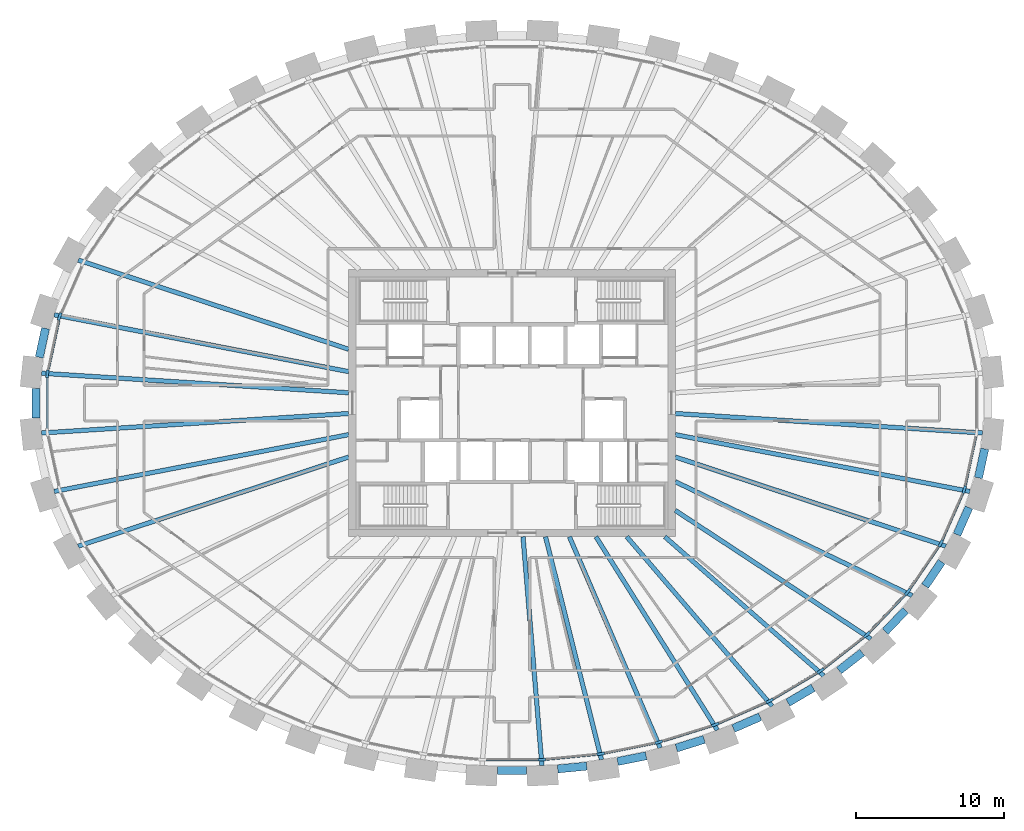
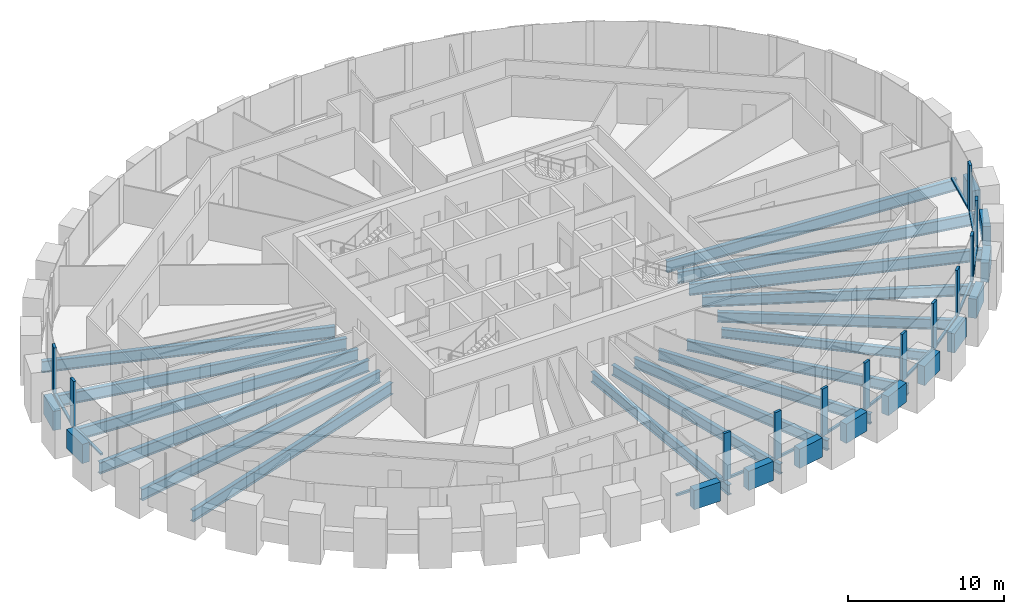
# One storey, part 2 of 12: 30 beams, 25 members, 1 element without a shape of its own.
"""IFC4 building model written with IfcOpenShell, lengths in metres."""

from ifc_helpers import new_model, si_unit, direction, frame, origin, origin_2d, place, context, subcontext, project, spatial, rectangle, i_section, extrude, source, transform, mapped, material, material_profile, profile_set, type_object, element, aggregate, save


model = new_model("IFC4")

# Units and contexts
model_context = context("Model", 3, precision=1e-05, world=origin(), true_north=direction((0.0, 1.0)))
body_context = subcontext(model_context, "Body", "Model", "MODEL_VIEW")
ifc_project = project(units=[si_unit("LENGTHUNIT", "METRE"), si_unit("AREAUNIT", "SQUARE_METRE"), si_unit("VOLUMEUNIT", "CUBIC_METRE"), si_unit("PLANEANGLEUNIT", "RADIAN"), si_unit("MASSUNIT", "GRAM", prefix="KILO")], contexts=[model_context])

# Site, building, storey
site_placement = place(None, origin())
site = spatial("IfcSite", under=ifc_project, at=site_placement, CompositionType="ELEMENT")
building_placement = place(site_placement, origin())
building = spatial("IfcBuilding", under=site, at=building_placement, Name="Embergate Tower", CompositionType="ELEMENT")
storey_placement = place(building_placement, frame((0.0, 0.0, 269.5)))
storey = spatial("IfcBuildingStorey", under=building, at=storey_placement, Name="L62", CompositionType="ELEMENT", Elevation=269.5)

# Beams
ifc_material_1 = material(Name="Concrete C60", Category="concrete")
ifc_material_profile_1 = material_profile(ifc_material_1, rectangle(XDim=0.550048828125, YDim=1.5, at=origin_2d()), Name="RC 550x1500")
ifc_profile_set_1 = profile_set([ifc_material_profile_1], Name="Concrete C60")
beam_type_1 = type_object("IfcBeamType", Name="Spandrel beam RC 550x1500 C60", PredefinedType="BEAM", material=ifc_profile_set_1)
shared_shape_1 = source(origin(), body_context, "Body", "SweptSolid", [
    extrude(rectangle(XDim=0.550048828125, YDim=1.5, at=origin_2d()), origin(), (0.0, 0.0, 1.0), 1.994384765625),
])
for number, where, z_axis, x_axis, name in (
    (1, (-31.423095703125, 5.034912109375, 0.0), (-0.210055720301, -0.977689416108, 0.0), (0.977689416108, -0.210055720301, 0.0), "SPN-L62-20"),
    (2, (31.423095703125, -5.034912109375, 0.0), (0.210055720301, 0.977689416108, 0.0), (-0.977689416108, 0.210055720301, 0.0), "SPN-L62-42"),
):
    element("IfcBeam", number, at=place(storey_placement, frame(where, z_axis=z_axis, x_axis=x_axis)), inside=storey, type_object=beam_type_1, Name=name, PredefinedType="BEAM", context=body_context, shape_type="MappedRepresentation", body=[
        mapped(shared_shape_1, transform((0.0, 0.0, 0.0))),
    ])
shared_shape_2 = source(origin(), body_context, "Body", "SweptSolid", [
    extrude(rectangle(XDim=0.550048828125, YDim=1.5, at=origin_2d()), origin(), (0.0, 0.0, 1.0), 1.989990234375),
])
beam_1_placement = place(storey_placement, frame((29.97705078125, -8.85498046875, 0.0), z_axis=(0.402047764255, 0.915618695341, 0.0), x_axis=(-0.915618695341, 0.402047764255, 0.0)))
element("IfcBeam", 3, at=beam_1_placement, inside=storey, type_object=beam_type_1, Name="SPN-L62-41", PredefinedType="BEAM", context=body_context, shape_type="MappedRepresentation", body=[
    mapped(shared_shape_2, transform((0.0, 0.0, 0.0))),
])
shared_shape_3 = source(origin(), body_context, "Body", "SweptSolid", [
    extrude(rectangle(XDim=0.550048828125, YDim=1.5, at=origin_2d()), origin(), (0.0, 0.0, 1.0), 1.982421875),
])
beam_2_placement = place(storey_placement, frame((27.827880859375, -12.322021484375, 0.0), z_axis=(0.56257611142, 0.82674549824, 0.0), x_axis=(-0.82674549824, 0.56257611142, 0.0)))
element("IfcBeam", 4, at=beam_2_placement, inside=storey, type_object=beam_type_1, Name="SPN-L62-40", PredefinedType="BEAM", context=body_context, shape_type="MappedRepresentation", body=[
    mapped(shared_shape_3, transform((0.0, 0.0, 0.0))),
])
shared_shape_4 = source(origin(), body_context, "Body", "SweptSolid", [
    extrude(rectangle(XDim=0.550048828125, YDim=1.5, at=origin_2d()), origin(), (0.0, 0.0, 1.0), 1.97900390625),
])
beam_3_placement = place(storey_placement, frame((25.14306640625, -15.387939453125, 0.0), z_axis=(0.690255649164, 0.723565573253, 0.0), x_axis=(-0.723565573253, 0.690255649164, 0.0)))
element("IfcBeam", 5, at=beam_3_placement, inside=storey, type_object=beam_type_1, Name="SPN-L62-39", PredefinedType="BEAM", context=body_context, shape_type="MappedRepresentation", body=[
    mapped(shared_shape_4, transform((0.0, 0.0, 0.0))),
])
shared_shape_5 = source(origin(), body_context, "Body", "SweptSolid", [
    extrude(rectangle(XDim=0.550048828125, YDim=1.5, at=origin_2d()), origin(), (0.0, 0.0, 1.0), 1.974853515625),
])
beam_4_placement = place(storey_placement, frame((22.030029296875, -18.011962890625, 0.0), z_axis=(0.788385979859, 0.61518090572, 0.0), x_axis=(-0.61518090572, 0.788385979859, 0.0)))
element("IfcBeam", 6, at=beam_4_placement, inside=storey, type_object=beam_type_1, Name="SPN-L62-38", PredefinedType="BEAM", context=body_context, shape_type="MappedRepresentation", body=[
    mapped(shared_shape_5, transform((0.0, 0.0, 0.0))),
])
shared_shape_6 = source(origin(), body_context, "Body", "SweptSolid", [
    extrude(rectangle(XDim=0.550048828125, YDim=1.5, at=origin_2d()), origin(), (0.0, 0.0, 1.0), 1.969482421875),
])
beam_5_placement = place(storey_placement, frame((18.583984375, -20.174072265625, 0.0), z_axis=(0.862106236571, 0.506727576578, 0.0), x_axis=(-0.506727576578, 0.862106236571, 0.0)))
element("IfcBeam", 7, at=beam_5_placement, inside=storey, type_object=beam_type_1, Name="SPN-L62-37", PredefinedType="BEAM", context=body_context, shape_type="MappedRepresentation", body=[
    mapped(shared_shape_6, transform((0.0, 0.0, 0.0))),
])
shared_shape_7 = source(origin(), body_context, "Body", "SweptSolid", [
    extrude(rectangle(XDim=0.550048828125, YDim=1.5, at=origin_2d()), origin(), (0.0, 0.0, 1.0), 1.96630859375),
])
beam_6_placement = place(storey_placement, frame((14.912109375, -21.916015625, 0.0), z_axis=(0.916393681964, 0.400278177842, 0.0), x_axis=(-0.400278177842, 0.916393681964, 0.0)))
element("IfcBeam", 8, at=beam_6_placement, inside=storey, type_object=beam_type_1, Name="SPN-L62-36", PredefinedType="BEAM", context=body_context, shape_type="MappedRepresentation", body=[
    mapped(shared_shape_7, transform((0.0, 0.0, 0.0))),
])
shared_shape_8 = source(origin(), body_context, "Body", "SweptSolid", [
    extrude(rectangle(XDim=0.550048828125, YDim=1.5, at=origin_2d()), origin(), (0.0, 0.0, 1.0), 1.96484375),
])
beam_7_placement = place(storey_placement, frame((11.069091796875, -23.235107421875, 0.0), z_axis=(0.954771364399, 0.297340951979, 0.0), x_axis=(-0.297340951979, 0.954771364399, 0.0)))
element("IfcBeam", 9, at=beam_7_placement, inside=storey, type_object=beam_type_1, Name="SPN-L62-35", PredefinedType="BEAM", context=body_context, shape_type="MappedRepresentation", body=[
    mapped(shared_shape_8, transform((0.0, 0.0, 0.0))),
])
shared_shape_9 = source(origin(), body_context, "Body", "SweptSolid", [
    extrude(rectangle(XDim=0.550048828125, YDim=1.5, at=origin_2d()), origin(), (0.0, 0.0, 1.0), 1.963134765625),
])
beam_8_placement = place(storey_placement, frame((7.10888671875, -24.139892578125, 0.0), z_axis=(0.980580675691, 0.196116135138, 0.0), x_axis=(-0.196116135138, 0.980580675691, 0.0)))
element("IfcBeam", 10, at=beam_8_placement, inside=storey, type_object=beam_type_1, Name="SPN-L62-34", PredefinedType="BEAM", context=body_context, shape_type="MappedRepresentation", body=[
    mapped(shared_shape_9, transform((0.0, 0.0, 0.0))),
])
shared_shape_10 = source(origin(), body_context, "Body", "SweptSolid", [
    extrude(rectangle(XDim=0.550048828125, YDim=1.5, at=origin_2d()), origin(), (0.0, 0.0, 1.0), 1.96240234375),
])
beam_9_placement = place(storey_placement, frame((3.0791015625, -24.64208984375, 0.0), z_axis=(0.99519482752, 0.097914530474, 0.0), x_axis=(-0.097914530474, 0.99519482752, 0.0)))
element("IfcBeam", 11, at=beam_9_placement, inside=storey, type_object=beam_type_1, Name="SPN-L62-33", PredefinedType="BEAM", context=body_context, shape_type="MappedRepresentation", body=[
    mapped(shared_shape_10, transform((0.0, 0.0, 0.0))),
])
shared_shape_11 = source(origin(), body_context, "Body", "SweptSolid", [
    extrude(rectangle(XDim=0.550048828125, YDim=1.5, at=origin_2d()), origin(), (0.0, 0.0, 1.0), 1.9619140625),
])
beam_10_placement = place(storey_placement, frame((-0.98095703125, -24.7451171875, 0.0), z_axis=(1.0, 0.0, 0.0), x_axis=(0.0, 1.0, 0.0)))
element("IfcBeam", 12, at=beam_10_placement, inside=storey, type_object=beam_type_1, Name="SPN-L62-32", PredefinedType="BEAM", context=body_context, shape_type="MappedRepresentation", body=[
    mapped(shared_shape_11, transform((0.0, 0.0, 0.0))),
])
shared_shape_12 = source(origin(), body_context, "Body", "SweptSolid", [
    extrude(rectangle(XDim=0.550048828125, YDim=1.5, at=origin_2d()), origin(), (0.0, 0.0, 1.0), 1.994140625),
])
beam_11_placement = place(storey_placement, frame((-32.06396484375, 0.9970703125, 0.0), z_axis=(0.0, -1.0, 0.0), x_axis=(1.0, 0.0, 0.0)))
element("IfcBeam", 13, at=beam_11_placement, inside=storey, type_object=beam_type_1, Name="SPN-L62-21", PredefinedType="BEAM", context=body_context, shape_type="MappedRepresentation", body=[
    mapped(shared_shape_12, transform((0.0, 0.0, 0.0))),
])
ifc_material_2 = material(Name="Steel Q355B", Category="steel")
ifc_material_profile_2 = material_profile(ifc_material_2, i_section(OverallWidth=0.300048828125, OverallDepth=0.89990234375, WebThickness=0.01611328125, FlangeThickness=0.028076171875, FilletRadius=0.028076171875, at=origin_2d()), Name="HN 900x300x16x28")
ifc_profile_set_2 = profile_set([ifc_material_profile_2], Name="Steel Q355 grade B")
beam_type_2 = type_object("IfcBeamType", Name="Radial girder HN 900x300x16x28", PredefinedType="BEAM", material=ifc_profile_set_2)
shared_shape_13 = source(origin(), body_context, "Body", "SweptSolid", [
    extrude(i_section(OverallWidth=0.300048828125, OverallDepth=0.89990234375, WebThickness=0.01611328125, FlangeThickness=0.028076171875, FilletRadius=0.028076171875, at=origin_2d()), origin(), (0.0, 0.0, 1.0), 20.730712890625),
])
for number, where, z_axis, x_axis, name in (
    (14, (-31.68896484375, 2.012939453125, -0.64990234375), (0.997989293992, -0.06338271908, 0.0), (0.06338271908, 0.997989293992, 0.0), "GIR-L62-21"),
    (15, (-31.68896484375, -2.012939453125, -0.64990234375), (0.997989293992, 0.06338271908, 0.0), (-0.06338271908, 0.997989293992, 0.0), "GIR-L62-22"),
    (16, (31.68896484375, -2.012939453125, -0.64990234375), (-0.997989293992, 0.06338271908, 0.0), (-0.06338271908, -0.997989293992, 0.0), "GIR-L62-43"),
):
    element("IfcBeam", number, at=place(storey_placement, frame(where, z_axis=z_axis, x_axis=x_axis)), inside=storey, type_object=beam_type_2, Name=name, PredefinedType="BEAM", context=body_context, shape_type="MappedRepresentation", body=[
        mapped(shared_shape_13, transform((0.0, 0.0, 0.0))),
    ])
shared_shape_14 = source(origin(), body_context, "Body", "SweptSolid", [
    extrude(i_section(OverallWidth=0.300048828125, OverallDepth=0.89990234375, WebThickness=0.01611328125, FlangeThickness=0.028076171875, FilletRadius=0.028076171875, at=origin_2d()), origin(), (0.0, 0.0, 1.0), 20.2080078125),
])
for number, where, z_axis, x_axis, name in (
    (17, (-30.842041015625, 5.949951171875, -0.64990234375), (0.981895200214, -0.189424960862, 0.0), (0.189424960862, 0.981895200214, 0.0), "GIR-L62-20"),
    (18, (-30.842041015625, -5.949951171875, -0.64990234375), (0.981895200214, 0.189424960862, 0.0), (-0.189424960862, 0.981895200214, 0.0), "GIR-L62-23"),
    (19, (30.842041015625, -5.949951171875, -0.64990234375), (-0.981895200214, 0.189424960862, 0.0), (-0.189424960862, -0.981895200214, 0.0), "GIR-L62-42"),
):
    element("IfcBeam", number, at=place(storey_placement, frame(where, z_axis=z_axis, x_axis=x_axis)), inside=storey, type_object=beam_type_2, Name=name, PredefinedType="BEAM", context=body_context, shape_type="MappedRepresentation", body=[
        mapped(shared_shape_14, transform((0.0, 0.0, 0.0))),
    ])
shared_shape_15 = source(origin(), body_context, "Body", "SweptSolid", [
    extrude(i_section(OverallWidth=0.300048828125, OverallDepth=0.89990234375, WebThickness=0.01611328125, FlangeThickness=0.028076171875, FilletRadius=0.028076171875, at=origin_2d()), origin(), (0.0, 0.0, 1.0), 19.189453125),
])
for number, where, z_axis, x_axis, name in (
    (20, (-29.22412109375, 9.636962890625, -0.64990234375), (0.949689890727, -0.313191812555, 0.0), (0.313191812555, 0.949689890727, 0.0), "GIR-L62-19"),
    (21, (-29.22412109375, -9.636962890625, -0.64990234375), (0.949689890727, 0.313191812555, 0.0), (-0.313191812555, 0.949689890727, 0.0), "GIR-L62-24"),
    (22, (29.22412109375, -9.636962890625, -0.64990234375), (-0.949689890727, 0.313191812555, 0.0), (-0.313191812555, -0.949689890727, 0.0), "GIR-L62-41"),
):
    element("IfcBeam", number, at=place(storey_placement, frame(where, z_axis=z_axis, x_axis=x_axis)), inside=storey, type_object=beam_type_2, Name=name, PredefinedType="BEAM", context=body_context, shape_type="MappedRepresentation", body=[
        mapped(shared_shape_15, transform((0.0, 0.0, 0.0))),
    ])
ifc_material_profile_3 = material_profile(ifc_material_2, i_section(OverallWidth=0.300048828125, OverallDepth=0.800048828125, WebThickness=0.013916015625, FlangeThickness=0.02587890625, FilletRadius=0.028076171875, at=origin_2d()), Name="HN 800x300x14x26")
ifc_profile_set_3 = profile_set([ifc_material_profile_3], Name="Steel Q355 grade B")
beam_type_3 = type_object("IfcBeamType", Name="Radial girder HN 800x300x14x26", PredefinedType="BEAM", material=ifc_profile_set_3)
shared_shape_16 = source(origin(), body_context, "Body", "SweptSolid", [
    extrude(i_section(OverallWidth=0.300048828125, OverallDepth=0.800048828125, WebThickness=0.013916015625, FlangeThickness=0.02587890625, FilletRadius=0.028076171875, at=origin_2d()), origin(), (0.0, 0.0, 1.0), 17.70947265625),
])
beam_12_placement = place(storey_placement, frame((26.958984375, -12.968994140625, -0.60009765625), z_axis=(-0.901155084862, 0.433496843157, 0.0), x_axis=(-0.433496843157, -0.901155084862, 0.0)))
element("IfcBeam", 23, at=beam_12_placement, inside=storey, type_object=beam_type_3, Name="GIR-L62-40", PredefinedType="BEAM", context=body_context, shape_type="MappedRepresentation", body=[
    mapped(shared_shape_16, transform((0.0, 0.0, 0.0))),
])
shared_shape_17 = source(origin(), body_context, "Body", "SweptSolid", [
    extrude(i_section(OverallWidth=0.300048828125, OverallDepth=0.800048828125, WebThickness=0.013916015625, FlangeThickness=0.02587890625, FilletRadius=0.028076171875, at=origin_2d()), origin(), (0.0, 0.0, 1.0), 15.767578125),
])
beam_13_placement = place(storey_placement, frame((24.177978515625, -15.885009765625, -0.60009765625), z_axis=(-0.835759482959, 0.549095698986, 0.0), x_axis=(-0.549095698986, -0.835759482959, 0.0)))
element("IfcBeam", 24, at=beam_13_placement, inside=storey, type_object=beam_type_3, Name="GIR-L62-39", PredefinedType="BEAM", context=body_context, shape_type="MappedRepresentation", body=[
    mapped(shared_shape_17, transform((0.0, 0.0, 0.0))),
])
ifc_material_profile_4 = material_profile(ifc_material_2, i_section(OverallWidth=0.300048828125, OverallDepth=0.699951171875, WebThickness=0.012939453125, FlangeThickness=0.02392578125, FilletRadius=0.01806640625, at=origin_2d()), Name="HN 700x300x13x24")
ifc_profile_set_4 = profile_set([ifc_material_profile_4], Name="Steel Q355 grade B")
beam_type_4 = type_object("IfcBeamType", Name="Radial girder HN 700x300x13x24", PredefinedType="BEAM", material=ifc_profile_set_4)
shared_shape_18 = source(origin(), body_context, "Body", "SweptSolid", [
    extrude(i_section(OverallWidth=0.300048828125, OverallDepth=0.699951171875, WebThickness=0.012939453125, FlangeThickness=0.02392578125, FilletRadius=0.01806640625, at=origin_2d()), origin(), (0.0, 0.0, 1.0), 14.226318359375),
])
beam_14_placement = place(storey_placement, frame((21.0009765625, -18.364990234375, -0.550048828125), z_axis=(-0.752763768185, 0.658290748308, 0.0), x_axis=(-0.658290748308, -0.752763768185, 0.0)))
element("IfcBeam", 25, at=beam_14_placement, inside=storey, type_object=beam_type_4, Name="GIR-L62-38", PredefinedType="BEAM", context=body_context, shape_type="MappedRepresentation", body=[
    mapped(shared_shape_18, transform((0.0, 0.0, 0.0))),
])
shared_shape_19 = source(origin(), body_context, "Body", "SweptSolid", [
    extrude(i_section(OverallWidth=0.300048828125, OverallDepth=0.800048828125, WebThickness=0.013916015625, FlangeThickness=0.02587890625, FilletRadius=0.028076171875, at=origin_2d()), origin(), (0.0, 0.0, 1.0), 15.03662109375),
])
beam_15_placement = place(storey_placement, frame((17.52490234375, -20.407958984375, -0.60009765625), z_axis=(-0.651467693725, 0.758676376351, 0.0), x_axis=(-0.758676376351, -0.651467693725, 0.0)))
element("IfcBeam", 26, at=beam_15_placement, inside=storey, type_object=beam_type_3, Name="GIR-L62-37", PredefinedType="BEAM", context=body_context, shape_type="MappedRepresentation", body=[
    mapped(shared_shape_19, transform((0.0, 0.0, 0.0))),
])
shared_shape_20 = source(origin(), body_context, "Body", "SweptSolid", [
    extrude(i_section(OverallWidth=0.300048828125, OverallDepth=0.800048828125, WebThickness=0.013916015625, FlangeThickness=0.02587890625, FilletRadius=0.028076171875, at=origin_2d()), origin(), (0.0, 0.0, 1.0), 15.37841796875),
])
beam_16_placement = place(storey_placement, frame((13.83203125, -22.02294921875, -0.60009765625), z_axis=(-0.53184995305, 0.84683860767, 0.0), x_axis=(-0.84683860767, -0.53184995305, 0.0)))
element("IfcBeam", 27, at=beam_16_placement, inside=storey, type_object=beam_type_3, Name="GIR-L62-36", PredefinedType="BEAM", context=body_context, shape_type="MappedRepresentation", body=[
    mapped(shared_shape_20, transform((0.0, 0.0, 0.0))),
])
shared_shape_21 = source(origin(), body_context, "Body", "SweptSolid", [
    extrude(i_section(OverallWidth=0.300048828125, OverallDepth=0.800048828125, WebThickness=0.013916015625, FlangeThickness=0.02587890625, FilletRadius=0.028076171875, at=origin_2d()), origin(), (0.0, 0.0, 1.0), 15.4814453125),
])
beam_17_placement = place(storey_placement, frame((9.98291015625, -23.222900390625, -0.60009765625), z_axis=(-0.394927796759, 0.918712161314, 0.0), x_axis=(-0.918712161314, -0.394927796759, 0.0)))
element("IfcBeam", 28, at=beam_17_placement, inside=storey, type_object=beam_type_3, Name="GIR-L62-35", PredefinedType="BEAM", context=body_context, shape_type="MappedRepresentation", body=[
    mapped(shared_shape_21, transform((0.0, 0.0, 0.0))),
])
shared_shape_22 = source(origin(), body_context, "Body", "SweptSolid", [
    extrude(i_section(OverallWidth=0.300048828125, OverallDepth=0.800048828125, WebThickness=0.013916015625, FlangeThickness=0.02587890625, FilletRadius=0.028076171875, at=origin_2d()), origin(), (0.0, 0.0, 1.0), 15.48095703125),
])
beam_18_placement = place(storey_placement, frame((6.029052734375, -24.014892578125, -0.60009765625), z_axis=(-0.243526249663, 0.969894306471, 0.0), x_axis=(-0.969894306471, -0.243526249663, 0.0)))
element("IfcBeam", 29, at=beam_18_placement, inside=storey, type_object=beam_type_3, Name="GIR-L62-34", PredefinedType="BEAM", context=body_context, shape_type="MappedRepresentation", body=[
    mapped(shared_shape_22, transform((0.0, 0.0, 0.0))),
])
shared_shape_23 = source(origin(), body_context, "Body", "SweptSolid", [
    extrude(i_section(OverallWidth=0.300048828125, OverallDepth=0.800048828125, WebThickness=0.013916015625, FlangeThickness=0.02587890625, FilletRadius=0.028076171875, at=origin_2d()), origin(), (0.0, 0.0, 1.0), 15.46240234375),
])
beam_19_placement = place(storey_placement, frame((2.01611328125, -24.409912109375, -0.60009765625), z_axis=(-0.082341147883, 0.99660420196, 0.0), x_axis=(-0.99660420196, -0.082341147883, 0.0)))
element("IfcBeam", 30, at=beam_19_placement, inside=storey, type_object=beam_type_3, Name="GIR-L62-33", PredefinedType="BEAM", context=body_context, shape_type="MappedRepresentation", body=[
    mapped(shared_shape_23, transform((0.0, 0.0, 0.0))),
])

# Curtain wall, members
ifc_material_3 = material(Name="Aluminium and glass", Category="aluminium")
curtain_wall_type = type_object("IfcCurtainWallType", Name="Recessed office glazing", PredefinedType="NOTDEFINED", material=ifc_material_3)
curtain_wall_placement = place(storey_placement, origin())
curtain_wall = element("IfcCurtainWall", 31, at=curtain_wall_placement, inside=storey, type_object=curtain_wall_type, Name="Recessed office glazing ring", ObjectType="RECESSED OFFICE GLAZING", PredefinedType="USERDEFINED")
ifc_material_4 = material(Name="Aluminium, thermally broken", Category="aluminium")
ifc_material_profile_5 = material_profile(ifc_material_4, rectangle(XDim=0.179931640625, YDim=0.52001953125, at=origin_2d()), Name="AL 520x180")
ifc_profile_set_5 = profile_set([ifc_material_profile_5], Name="Aluminium, thermally broken")
member_type_1 = type_object("IfcMemberType", Name="Office mullion", PredefinedType="MULLION", material=ifc_profile_set_5)
shared_shape_24 = source(origin(), body_context, "Body", "SweptSolid", [
    extrude(rectangle(XDim=0.179931640625, YDim=0.52001953125, at=origin_2d()), origin(), (0.0, 0.0, 1.0), 3.699951171875),
])
member_1_placement = place(storey_placement, frame((-30.47119140625, 5.82861328125, 0.0), z_axis=(0.0, 0.0, 1.0), x_axis=(0.951492965233, -0.307670500881, 0.0)))
member_1 = element("IfcMember", 32, at=member_1_placement, type_object=member_type_1, Name="CW mullion 21", PredefinedType="MULLION", context=body_context, shape_type="MappedRepresentation", body=[
    mapped(shared_shape_24, transform((0.0, 0.0, 0.0))),
])
member_2_placement = place(storey_placement, frame((-31.301513671875, 1.971435546875, 0.0), z_axis=(0.0, 0.0, 1.0), x_axis=(0.994384215926, -0.105830199459, 0.0)))
member_2 = element("IfcMember", 33, at=member_2_placement, type_object=member_type_1, Name="CW mullion 22", PredefinedType="MULLION", context=body_context, shape_type="MappedRepresentation", body=[
    mapped(shared_shape_24, transform((0.0, 0.0, 0.0))),
])
member_3_placement = place(storey_placement, frame((1.9970703125, -24.020263671875, 0.0), z_axis=(0.0, 0.0, 1.0), x_axis=(-0.048970053385, 0.998800247232, 0.0)))
member_3 = element("IfcMember", 34, at=member_3_placement, type_object=member_type_1, Name="CW mullion 34", PredefinedType="MULLION", context=body_context, shape_type="MappedRepresentation", body=[
    mapped(shared_shape_24, transform((0.0, 0.0, 0.0))),
])
member_4_placement = place(storey_placement, frame((5.9716796875, -23.629638671875, 0.0), z_axis=(0.0, 0.0, 1.0), x_axis=(-0.147408930294, 0.989075632735, 0.0)))
member_4 = element("IfcMember", 35, at=member_4_placement, type_object=member_type_1, Name="CW mullion 35", PredefinedType="MULLION", context=body_context, shape_type="MappedRepresentation", body=[
    mapped(shared_shape_24, transform((0.0, 0.0, 0.0))),
])
member_5_placement = place(storey_placement, frame((9.885986328125, -22.844482421875, 0.0), z_axis=(0.0, 0.0, 1.0), x_axis=(-0.24730680803, 0.968937223303, 0.0)))
member_5 = element("IfcMember", 36, at=member_5_placement, type_object=member_type_1, Name="CW mullion 36", PredefinedType="MULLION", context=body_context, shape_type="MappedRepresentation", body=[
    mapped(shared_shape_24, transform((0.0, 0.0, 0.0))),
])
member_6_placement = place(storey_placement, frame((13.69580078125, -21.657958984375, 0.0), z_axis=(0.0, 0.0, 1.0), x_axis=(-0.349496141799, 0.936937803094, 0.0)))
member_6 = element("IfcMember", 37, at=member_6_placement, type_object=member_type_1, Name="CW mullion 37", PredefinedType="MULLION", context=body_context, shape_type="MappedRepresentation", body=[
    mapped(shared_shape_24, transform((0.0, 0.0, 0.0))),
])
member_7_placement = place(storey_placement, frame((17.34912109375, -20.060791015625, 0.0), z_axis=(0.0, 0.0, 1.0), x_axis=(-0.454503607328, 0.89074489666, 0.0)))
member_7 = element("IfcMember", 38, at=member_7_placement, type_object=member_type_1, Name="CW mullion 38", PredefinedType="MULLION", context=body_context, shape_type="MappedRepresentation", body=[
    mapped(shared_shape_24, transform((0.0, 0.0, 0.0))),
])
member_8_placement = place(storey_placement, frame((20.781982421875, -18.042236328125, 0.0), z_axis=(0.0, 0.0, 1.0), x_axis=(-0.562207514921, 0.82699619719, 0.0)))
member_8 = element("IfcMember", 39, at=member_8_placement, type_object=member_type_1, Name="CW mullion 39", PredefinedType="MULLION", context=body_context, shape_type="MappedRepresentation", body=[
    mapped(shared_shape_24, transform((0.0, 0.0, 0.0))),
])
member_9_placement = place(storey_placement, frame((23.9169921875, -15.595703125, 0.0), z_axis=(0.0, 0.0, 1.0), x_axis=(-0.671216184057, 0.741261650337, 0.0)))
member_9 = element("IfcMember", 40, at=member_9_placement, type_object=member_type_1, Name="CW mullion 40", PredefinedType="MULLION", context=body_context, shape_type="MappedRepresentation", body=[
    mapped(shared_shape_24, transform((0.0, 0.0, 0.0))),
])
member_10_placement = place(storey_placement, frame((26.656494140625, -12.72314453125, 0.0), z_axis=(0.0, 0.0, 1.0), x_axis=(-0.777861596203, 0.628435626897, 0.0)))
member_10 = element("IfcMember", 41, at=member_10_placement, type_object=member_type_1, Name="CW mullion 41", PredefinedType="MULLION", context=body_context, shape_type="MappedRepresentation", body=[
    mapped(shared_shape_24, transform((0.0, 0.0, 0.0))),
])
member_11_placement = place(storey_placement, frame((28.8837890625, -9.447998046875, 0.0), z_axis=(0.0, 0.0, 1.0), x_axis=(-0.874992601244, 0.484136290489, 0.0)))
member_11 = element("IfcMember", 42, at=member_11_placement, type_object=member_type_1, Name="CW mullion 42", PredefinedType="MULLION", context=body_context, shape_type="MappedRepresentation", body=[
    mapped(shared_shape_24, transform((0.0, 0.0, 0.0))),
])
member_12_placement = place(storey_placement, frame((30.47119140625, -5.82861328125, 0.0), z_axis=(0.0, 0.0, 1.0), x_axis=(-0.951492965233, 0.307670500881, 0.0)))
member_12 = element("IfcMember", 43, at=member_12_placement, type_object=member_type_1, Name="CW mullion 43", PredefinedType="MULLION", context=body_context, shape_type="MappedRepresentation", body=[
    mapped(shared_shape_24, transform((0.0, 0.0, 0.0))),
])
ifc_material_profile_6 = material_profile(ifc_material_4, rectangle(XDim=0.179931640625, YDim=0.14990234375, at=origin_2d()), Name="AL 150x180")
ifc_profile_set_6 = profile_set([ifc_material_profile_6], Name="Aluminium, thermally broken")
member_type_2 = type_object("IfcMemberType", Name="Office sill transom", PredefinedType="USERDEFINED", material=ifc_profile_set_6)
shared_shape_25 = source(origin(), body_context, "Body", "SweptSolid", [
    extrude(rectangle(XDim=0.179931640625, YDim=0.14990234375, at=origin_2d()), origin(), (0.0, 0.0, 1.0), 3.42529296875),
])
member_13_placement = place(storey_placement, frame((-30.52587890625, 5.57421875, 0.074951171875), z_axis=(-0.210405171299, -0.977614271526, 0.0), x_axis=(0.977614271526, -0.210405171299, 0.0)))
member_13 = element("IfcMember", 44, at=member_13_placement, type_object=member_type_2, Name="CW transom 21.1", ObjectType="TRANSOM", PredefinedType="USERDEFINED", context=body_context, shape_type="MappedRepresentation", body=[
    mapped(shared_shape_25, transform((0.0, 0.0, 0.0))),
])
member_14_placement = place(storey_placement, frame((30.52587890625, -5.57421875, 0.074951171875), z_axis=(0.210405171299, 0.977614271526, 0.0), x_axis=(-0.977614271526, 0.210405171299, 0.0)))
member_14 = element("IfcMember", 45, at=member_14_placement, type_object=member_type_2, Name="CW transom 43.1", ObjectType="TRANSOM", PredefinedType="USERDEFINED", context=body_context, shape_type="MappedRepresentation", body=[
    mapped(shared_shape_25, transform((0.0, 0.0, 0.0))),
])
shared_shape_26 = source(origin(), body_context, "Body", "SweptSolid", [
    extrude(rectangle(XDim=0.179931640625, YDim=0.14990234375, at=origin_2d()), origin(), (0.0, 0.0, 1.0), 3.43212890625),
])
member_15_placement = place(storey_placement, frame((28.98828125, -9.209716796875, 0.074951171875), z_axis=(0.401632188585, 0.915801061963, 0.0), x_axis=(-0.915801061963, 0.401632188585, 0.0)))
member_15 = element("IfcMember", 46, at=member_15_placement, type_object=member_type_2, Name="CW transom 42.1", ObjectType="TRANSOM", PredefinedType="USERDEFINED", context=body_context, shape_type="MappedRepresentation", body=[
    mapped(shared_shape_26, transform((0.0, 0.0, 0.0))),
])
shared_shape_27 = source(origin(), body_context, "Body", "SweptSolid", [
    extrude(rectangle(XDim=0.179931640625, YDim=0.14990234375, at=origin_2d()), origin(), (0.0, 0.0, 1.0), 3.44091796875),
])
member_16_placement = place(storey_placement, frame((26.802490234375, -12.508056640625, 0.074951171875), z_axis=(0.562372122954, 0.826884269607, 0.0), x_axis=(-0.826884269607, 0.562372122954, 0.0)))
member_16 = element("IfcMember", 47, at=member_16_placement, type_object=member_type_2, Name="CW transom 41.1", ObjectType="TRANSOM", PredefinedType="USERDEFINED", context=body_context, shape_type="MappedRepresentation", body=[
    mapped(shared_shape_27, transform((0.0, 0.0, 0.0))),
])
shared_shape_28 = source(origin(), body_context, "Body", "SweptSolid", [
    extrude(rectangle(XDim=0.179931640625, YDim=0.14990234375, at=origin_2d()), origin(), (0.0, 0.0, 1.0), 3.449462890625),
])
member_17_placement = place(storey_placement, frame((24.096435546875, -15.407470703125, 0.074951171875), z_axis=(0.690133956855, 0.723681643815, 0.0), x_axis=(-0.723681643815, 0.690133956855, 0.0)))
member_17 = element("IfcMember", 48, at=member_17_placement, type_object=member_type_2, Name="CW transom 40.1", ObjectType="TRANSOM", PredefinedType="USERDEFINED", context=body_context, shape_type="MappedRepresentation", body=[
    mapped(shared_shape_28, transform((0.0, 0.0, 0.0))),
])
shared_shape_29 = source(origin(), body_context, "Body", "SweptSolid", [
    extrude(rectangle(XDim=0.179931640625, YDim=0.14990234375, at=origin_2d()), origin(), (0.0, 0.0, 1.0), 3.456787109375),
])
member_18_placement = place(storey_placement, frame((20.987060546875, -17.88232421875, 0.074951171875), z_axis=(0.788343354806, 0.615235528016, 0.0), x_axis=(-0.615235528016, 0.788343354806, 0.0)))
member_18 = element("IfcMember", 49, at=member_18_placement, type_object=member_type_2, Name="CW transom 39.1", ObjectType="TRANSOM", PredefinedType="USERDEFINED", context=body_context, shape_type="MappedRepresentation", body=[
    mapped(shared_shape_29, transform((0.0, 0.0, 0.0))),
])
shared_shape_30 = source(origin(), body_context, "Body", "SweptSolid", [
    extrude(rectangle(XDim=0.179931640625, YDim=0.14990234375, at=origin_2d()), origin(), (0.0, 0.0, 1.0), 3.462646484375),
])
member_19_placement = place(storey_placement, frame((17.572998046875, -19.928955078125, 0.074951171875), z_axis=(0.862068308193, 0.506792099394, 0.0), x_axis=(-0.506792099394, 0.862068308193, 0.0)))
member_19 = element("IfcMember", 50, at=member_19_placement, type_object=member_type_2, Name="CW transom 38.1", ObjectType="TRANSOM", PredefinedType="USERDEFINED", context=body_context, shape_type="MappedRepresentation", body=[
    mapped(shared_shape_30, transform((0.0, 0.0, 0.0))),
])
shared_shape_31 = source(origin(), body_context, "Body", "SweptSolid", [
    extrude(rectangle(XDim=0.179931640625, YDim=0.14990234375, at=origin_2d()), origin(), (0.0, 0.0, 1.0), 3.467041015625),
])
member_20_placement = place(storey_placement, frame((13.93408203125, -21.553955078125, 0.074951171875), z_axis=(0.916217122843, 0.400682148104, 0.0), x_axis=(-0.400682148104, 0.916217122843, 0.0)))
member_20 = element("IfcMember", 51, at=member_20_placement, type_object=member_type_2, Name="CW transom 37.1", ObjectType="TRANSOM", PredefinedType="USERDEFINED", context=body_context, shape_type="MappedRepresentation", body=[
    mapped(shared_shape_31, transform((0.0, 0.0, 0.0))),
])
shared_shape_32 = source(origin(), body_context, "Body", "SweptSolid", [
    extrude(rectangle(XDim=0.179931640625, YDim=0.14990234375, at=origin_2d()), origin(), (0.0, 0.0, 1.0), 3.470458984375),
])
member_21_placement = place(storey_placement, frame((10.13427734375, -22.76708984375, 0.074951171875), z_axis=(0.954784910088, 0.297297452846, 0.0), x_axis=(-0.297297452846, 0.954784910088, 0.0)))
member_21 = element("IfcMember", 52, at=member_21_placement, type_object=member_type_2, Name="CW transom 36.1", ObjectType="TRANSOM", PredefinedType="USERDEFINED", context=body_context, shape_type="MappedRepresentation", body=[
    mapped(shared_shape_32, transform((0.0, 0.0, 0.0))),
])
shared_shape_33 = source(origin(), body_context, "Body", "SweptSolid", [
    extrude(rectangle(XDim=0.179931640625, YDim=0.14990234375, at=origin_2d()), origin(), (0.0, 0.0, 1.0), 3.472412109375),
])
member_22_placement = place(storey_placement, frame((6.2265625, -23.578369140625, 0.074951171875), z_axis=(0.980472357372, 0.196656951134, 0.0), x_axis=(-0.196656951134, 0.980472357372, 0.0)))
member_22 = element("IfcMember", 53, at=member_22_placement, type_object=member_type_2, Name="CW transom 35.1", ObjectType="TRANSOM", PredefinedType="USERDEFINED", context=body_context, shape_type="MappedRepresentation", body=[
    mapped(shared_shape_33, transform((0.0, 0.0, 0.0))),
])
shared_shape_34 = source(origin(), body_context, "Body", "SweptSolid", [
    extrude(rectangle(XDim=0.179931640625, YDim=0.14990234375, at=origin_2d()), origin(), (0.0, 0.0, 1.0), 3.4736328125),
])
member_23_placement = place(storey_placement, frame((2.255859375, -23.994873046875, 0.074951171875), z_axis=(0.99520279702, 0.0978334953, 0.0), x_axis=(-0.0978334953, 0.99520279702, 0.0)))
member_23 = element("IfcMember", 54, at=member_23_placement, type_object=member_type_2, Name="CW transom 34.1", ObjectType="TRANSOM", PredefinedType="USERDEFINED", context=body_context, shape_type="MappedRepresentation", body=[
    mapped(shared_shape_34, transform((0.0, 0.0, 0.0))),
])
shared_shape_35 = source(origin(), body_context, "Body", "SweptSolid", [
    extrude(rectangle(XDim=0.179931640625, YDim=0.14990234375, at=origin_2d()), origin(), (0.0, 0.0, 1.0), 3.47412109375),
])
member_24_placement = place(storey_placement, frame((-1.737060546875, -24.020263671875, 0.074951171875), z_axis=(1.0, 0.0, 0.0), x_axis=(0.0, 1.0, 0.0)))
member_24 = element("IfcMember", 55, at=member_24_placement, type_object=member_type_2, Name="CW transom 33.1", ObjectType="TRANSOM", PredefinedType="USERDEFINED", context=body_context, shape_type="MappedRepresentation", body=[
    mapped(shared_shape_35, transform((0.0, 0.0, 0.0))),
])
shared_shape_36 = source(origin(), body_context, "Body", "SweptSolid", [
    extrude(rectangle(XDim=0.179931640625, YDim=0.14990234375, at=origin_2d()), origin(), (0.0, 0.0, 1.0), 3.4228515625),
])
member_25_placement = place(storey_placement, frame((-31.301513671875, 1.71142578125, 0.074951171875), z_axis=(0.0, -1.0, 0.0), x_axis=(1.0, 0.0, 0.0)))
member_25 = element("IfcMember", 56, at=member_25_placement, type_object=member_type_2, Name="CW transom 22.1", ObjectType="TRANSOM", PredefinedType="USERDEFINED", context=body_context, shape_type="MappedRepresentation", body=[
    mapped(shared_shape_36, transform((0.0, 0.0, 0.0))),
])
aggregate(curtain_wall, [member_1, member_2, member_3, member_4, member_5, member_6, member_7, member_8, member_9, member_10, member_11, member_12, member_13, member_25, member_24, member_23, member_22, member_21, member_20, member_19, member_18, member_17, member_16, member_15, member_14])

save(model, "model.ifc")
